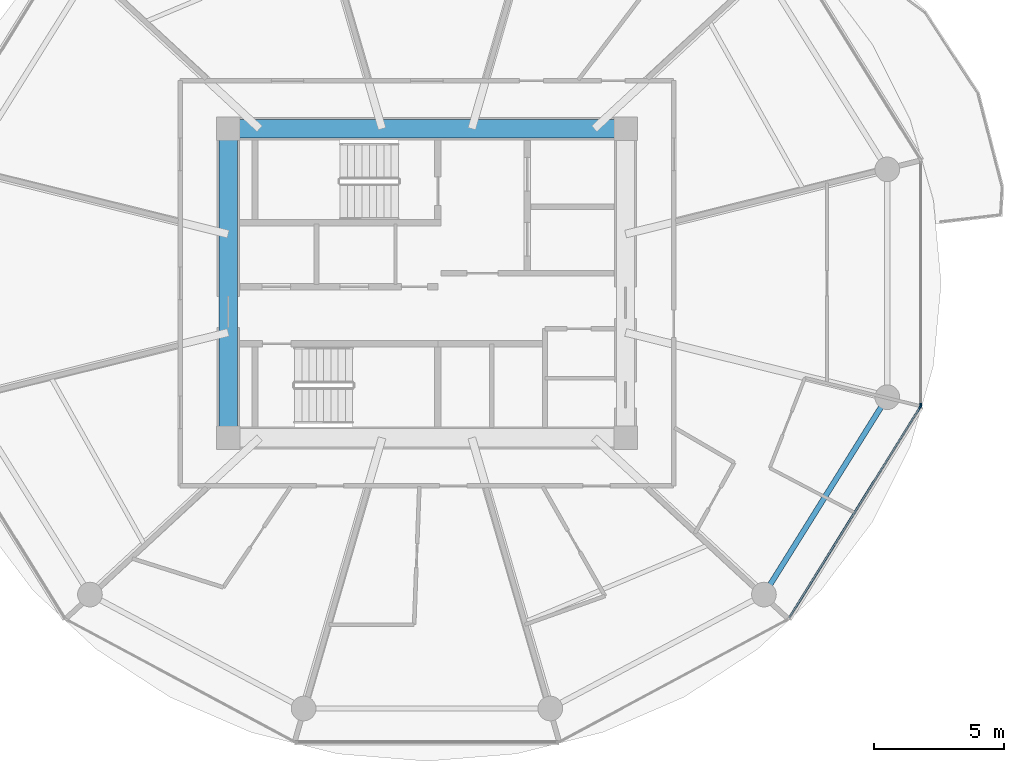
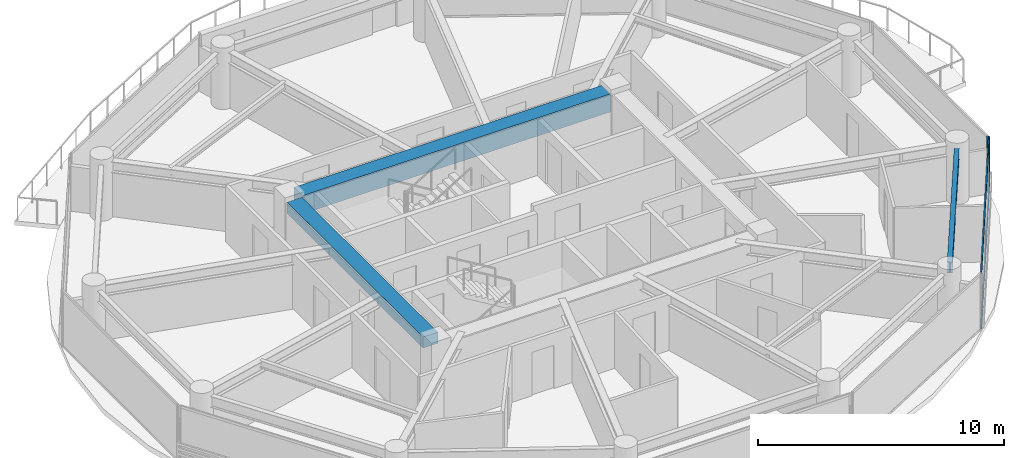
# One storey, part 11 of 26: 4 members, 3 beams, 2 elements without a shape of their own.
"""IFC4 building model written with IfcOpenShell, lengths in metres."""

from ifc_helpers import new_model, si_unit, direction, frame, origin, origin_2d, place, context, subcontext, project, spatial, rectangle, i_section, extrude, source, transform, mapped, material, layer, layer_set, material_profile, profile_set, type_object, type_shapes, element, aggregate, save


model = new_model("IFC4")

# Units and contexts
model_context = context("Model", 3, precision=1e-05, world=origin(), true_north=direction((0.0, 1.0)))
body_context = subcontext(model_context, "Body", "Model", "MODEL_VIEW")
ifc_project = project(units=[si_unit("LENGTHUNIT", "METRE"), si_unit("AREAUNIT", "SQUARE_METRE"), si_unit("VOLUMEUNIT", "CUBIC_METRE"), si_unit("PLANEANGLEUNIT", "RADIAN"), si_unit("MASSUNIT", "GRAM", prefix="KILO")], contexts=[model_context])

# Site, building, storey
site_placement = place(None, origin())
site = spatial("IfcSite", under=ifc_project, at=site_placement, CompositionType="ELEMENT")
building_placement = place(site_placement, origin())
building = spatial("IfcBuilding", under=site, at=building_placement, Name="Norrkilde Senior Care Towers", CompositionType="ELEMENT")
storey_placement = place(building_placement, frame((0.0, 0.0, 55.14990234375)))
storey = spatial("IfcBuildingStorey", under=building, at=storey_placement, Name="L16", CompositionType="ELEMENT", Elevation=55.14990234375)

# Beams
ifc_material_1 = material(Name="Concrete C60/75", Category="concrete")
ifc_material_profile_1 = material_profile(ifc_material_1, rectangle(XDim=0.699951171875, YDim=0.89990234375, at=origin_2d()), Name="RC BM 700x900")
ifc_profile_set_1 = profile_set([ifc_material_profile_1], Name="Concrete C60/75")
beam_type_1 = type_object("IfcBeamType", Name="Core Coupling Girder 700x900", PredefinedType="USERDEFINED", material=ifc_profile_set_1)
shared_shape_1 = source(origin(), body_context, "Body", "SweptSolid", [
    extrude(rectangle(XDim=0.699951171875, YDim=0.89990234375, at=origin_2d()), origin(), (0.0, 0.0, 1.0), 14.43994140625),
])
type_shapes(beam_type_1, [shared_shape_1])
beam_1_placement = place(storey_placement, frame((20.780029296875, 5.949951171875, 2.340087890625), z_axis=(1.0, 0.0, 0.0), x_axis=(0.0, 1.0, 0.0)))
element("IfcBeam", 1, at=beam_1_placement, inside=storey, type_object=beam_type_1, Name="L16 Core E N Coupling Girder", ObjectType="GIRDER", PredefinedType="USERDEFINED", context=body_context, shape_type="MappedRepresentation", body=[
    mapped(shared_shape_1, transform((0.0, 0.0, 0.0), x_axis=(1.0, 0.0, 0.0), y_axis=(0.0, 1.0, 0.0), z_axis=(0.0, 0.0, 1.0), scale=1.0)),
])
ifc_material_profile_2 = material_profile(ifc_material_1, rectangle(XDim=0.699951171875, YDim=0.550048828125, at=origin_2d()), Name="RC BM 700x550")
ifc_profile_set_2 = profile_set([ifc_material_profile_2], Name="Concrete C60/75")
beam_type_2 = type_object("IfcBeamType", Name="Core Portal Coupling Beam 700x550", PredefinedType="USERDEFINED", material=ifc_profile_set_2)
shared_shape_2 = source(origin(), body_context, "Body", "SweptSolid", [
    extrude(rectangle(XDim=0.699951171875, YDim=0.550048828125, at=origin_2d()), origin(), (0.0, 0.0, 1.0), 11.0400390625),
])
type_shapes(beam_type_2, [shared_shape_2])
beam_2_placement = place(storey_placement, frame((20.35009765625, -5.52001953125, 2.51513671875), z_axis=(0.0, 1.0, 0.0), x_axis=(-1.0, 0.0, 0.0)))
element("IfcBeam", 2, at=beam_2_placement, inside=storey, type_object=beam_type_2, Name="L16 Core E W Coupling Girder", ObjectType="GIRDER", PredefinedType="USERDEFINED", context=body_context, shape_type="MappedRepresentation", body=[
    mapped(shared_shape_2, transform((0.0, 0.0, 0.0), x_axis=(1.0, 0.0, 0.0), y_axis=(0.0, 1.0, 0.0), z_axis=(0.0, 0.0, 1.0), scale=1.0)),
])
ifc_material_2 = material(Name="Steel S355", Category="steel")
ifc_material_profile_3 = material_profile(ifc_material_2, i_section(OverallWidth=0.2099609375, OverallDepth=0.550048828125, WebThickness=0.010986328125, FlangeThickness=0.01708984375, FilletRadius=0.02392578125, at=origin_2d()), Name="IPE 550")
ifc_profile_set_3 = profile_set([ifc_material_profile_3], Name="Steel S355")
beam_type_3 = type_object("IfcBeamType", Name="Perimeter Ring Spandrel Z1 IPE550", PredefinedType="SPANDREL", material=ifc_profile_set_3)
shared_shape_3 = source(origin(), body_context, "Body", "SweptSolid", [
    extrude(i_section(OverallWidth=0.2099609375, OverallDepth=0.550048828125, WebThickness=0.010986328125, FlangeThickness=0.01708984375, FilletRadius=0.02392578125, at=origin_2d()), origin(), (0.0, 0.0, 1.0), 8.090576171875),
])
type_shapes(beam_type_3, [shared_shape_3])
beam_3_placement = place(storey_placement, frame((41.2060546875, -11.61669921875, 2.51513671875), z_axis=(0.530004364821, 0.84799491347, 0.0), x_axis=(-0.84799491347, 0.530004364821, 0.0)))
element("IfcBeam", 3, at=beam_3_placement, inside=storey, type_object=beam_type_3, Name="L16 Drum E Perimeter Spandrel 11", PredefinedType="SPANDREL", context=body_context, shape_type="MappedRepresentation", body=[
    mapped(shared_shape_3, transform((0.0, 0.0, 0.0), x_axis=(1.0, 0.0, 0.0), y_axis=(0.0, 1.0, 0.0), z_axis=(0.0, 0.0, 1.0), scale=1.0)),
])

# Curtain wall, member
ifc_material_3 = material(Name="Triple Low-E Insulated Glazing", Category="glass")
ifc_layer = layer(ifc_material_3, 0.199951171875)
ifc_layer_set = layer_set([ifc_layer], Name="Triple Low-E Insulated Glazing")
curtain_wall_type = type_object("IfcCurtainWallType", Name="CW2 Zone 1 Memory Care Curtain Wall", PredefinedType="NOTDEFINED", material=ifc_layer_set)
curtain_wall_1_placement = place(storey_placement, origin())
curtain_wall_1 = element("IfcCurtainWall", 4, at=curtain_wall_1_placement, inside=storey, type_object=curtain_wall_type, Name="L16 Drum E Curtain Wall 10", PredefinedType="NOTDEFINED")
ifc_material_4 = material(Name="Anodised Aluminium", Category="aluminium")
ifc_material_profile_4 = material_profile(ifc_material_4, rectangle(XDim=0.06494140625, YDim=0.159912109375, at=origin_2d()), Name="ALU MULL 65x160")
ifc_profile_set_4 = profile_set([ifc_material_profile_4], Name="Anodised Aluminium")
member_type_1 = type_object("IfcMemberType", Name="Curtain Wall Mullion Z1-Z2 65x160", PredefinedType="MULLION", material=ifc_profile_set_4)
shared_shape_4 = source(origin(), body_context, "Body", "SweptSolid", [
    extrude(rectangle(XDim=0.06494140625, YDim=0.159912109375, at=origin_2d()), origin(), (0.0, 0.0, 1.0), 2.7900390625),
])
type_shapes(member_type_1, [shared_shape_4])
member_1_placement = place(storey_placement, frame((46.9921875, -4.7587890625, 0.0), z_axis=(0.0, 0.0, 1.0), x_axis=(0.849305943117, -0.527900951871, 0.0)))
member_1 = element("IfcMember", 5, at=member_1_placement, type_object=member_type_1, Name="CW-2 mullion 1", PredefinedType="MULLION", context=body_context, shape_type="MappedRepresentation", body=[
    mapped(shared_shape_4, transform((0.0, 0.0, 0.0), x_axis=(1.0, 0.0, 0.0), y_axis=(0.0, 1.0, 0.0), z_axis=(0.0, 0.0, 1.0), scale=1.0)),
])

curtain_wall_2_placement = place(storey_placement, origin())
curtain_wall_2 = element("IfcCurtainWall", 6, at=curtain_wall_2_placement, inside=storey, type_object=curtain_wall_type, Name="L16 Drum E Curtain Wall 11", PredefinedType="NOTDEFINED")
member_2_placement = place(storey_placement, frame((47.009521484375, -4.69873046875, 0.0), z_axis=(0.0, 0.0, 1.0), x_axis=(1.0, 0.0, 0.0)))
member_2 = element("IfcMember", 7, at=member_2_placement, type_object=member_type_1, Name="CW-2 mullion 2", PredefinedType="MULLION", context=body_context, shape_type="MappedRepresentation", body=[
    mapped(shared_shape_4, transform((0.0, 0.0, 0.0), x_axis=(1.0, 0.0, 0.0), y_axis=(0.0, 1.0, 0.0), z_axis=(0.0, 0.0, 1.0), scale=1.0)),
])
aggregate(curtain_wall_2, [member_2])

# Member
ifc_material_profile_5 = material_profile(ifc_material_4, rectangle(XDim=0.06005859375, YDim=0.1201171875, at=origin_2d()), Name="ALU TRAN 60x120")
ifc_profile_set_5 = profile_set([ifc_material_profile_5], Name="Anodised Aluminium")
member_type_2 = type_object("IfcMemberType", Name="Curtain Wall Transom Typical 60x120", PredefinedType="USERDEFINED", material=ifc_profile_set_5)
shared_shape_5 = source(origin(), body_context, "Body", "SweptSolid", [
    extrude(rectangle(XDim=0.06005859375, YDim=0.1201171875, at=origin_2d()), origin(), (0.0, 0.0, 1.0), 9.5185546875),
])
type_shapes(member_type_2, [shared_shape_5])
member_3_placement = place(storey_placement, frame((46.97509765625, -4.786376953125, 0.030029296875), z_axis=(-0.527901620669, -0.849305527413, 0.0), x_axis=(0.849305527413, -0.527901620669, 0.0)))
member_3 = element("IfcMember", 8, at=member_3_placement, type_object=member_type_2, Name="CW-2 transom 1.1", ObjectType="TRANSOM", PredefinedType="USERDEFINED", context=body_context, shape_type="MappedRepresentation", body=[
    mapped(shared_shape_5, transform((0.0, 0.0, 0.0), x_axis=(1.0, 0.0, 0.0), y_axis=(0.0, 1.0, 0.0), z_axis=(0.0, 0.0, 1.0), scale=1.0)),
])

member_4_placement = place(storey_placement, frame((46.97509765625, -4.786376953125, 2.760009765625), z_axis=(-0.527901620669, -0.849305527413, 0.0), x_axis=(0.849305527413, -0.527901620669, 0.0)))
member_4 = element("IfcMember", 9, at=member_4_placement, type_object=member_type_2, Name="CW-2 transom 1.2", ObjectType="TRANSOM", PredefinedType="USERDEFINED", context=body_context, shape_type="MappedRepresentation", body=[
    mapped(shared_shape_5, transform((0.0, 0.0, 0.0), x_axis=(1.0, 0.0, 0.0), y_axis=(0.0, 1.0, 0.0), z_axis=(0.0, 0.0, 1.0), scale=1.0)),
])

aggregate(curtain_wall_1, [member_1, member_3, member_4])

save(model, "model.ifc")
